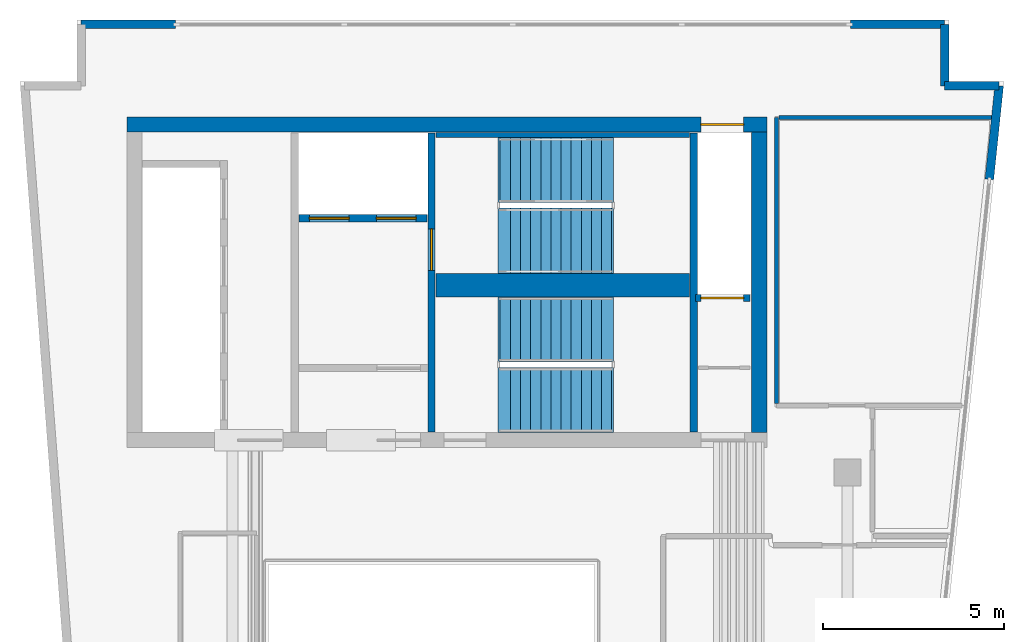
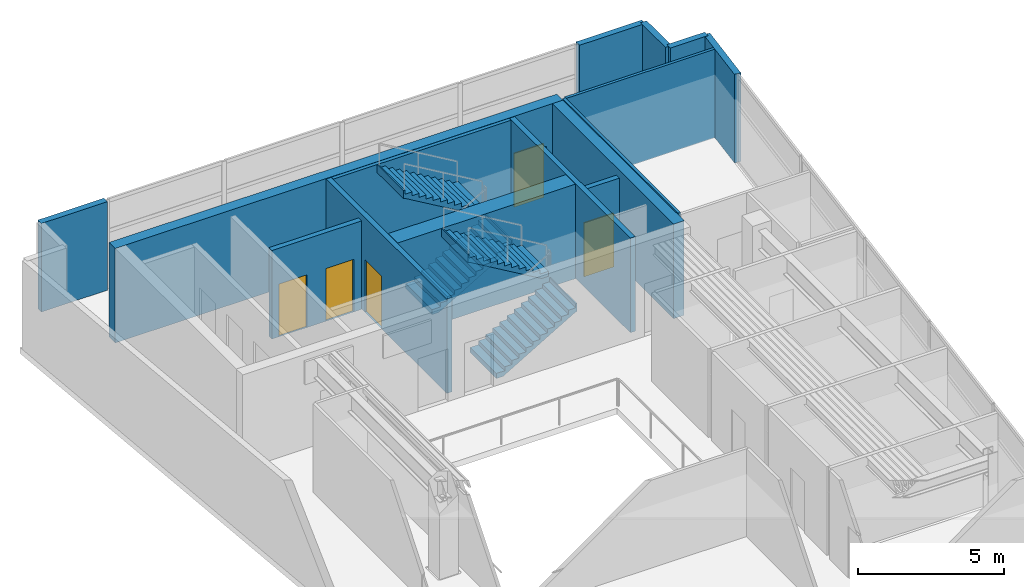
# One storey, part 4 of 6: 15 walls, 5 doors, 4 stair flights, 5 openings, 2 elements without a shape of their own.
"""IFC4 building model written with IfcOpenShell, lengths in metres."""

from ifc_helpers import new_model, si_unit, direction, frame, frame_2d, origin, place, context, subcontext, project, spatial, polyline, rectangle, outline, extrude, material, layer, layer_set, type_object, element, fill, aggregate, save


model = new_model("IFC4")

# Units and contexts
model_context = context("Model", 3, precision=1e-05, world=origin(), true_north=direction((0.0, 1.0)))
body_context = subcontext(model_context, "Body", "Model", "MODEL_VIEW")
ifc_project = project(units=[si_unit("LENGTHUNIT", "METRE"), si_unit("AREAUNIT", "SQUARE_METRE"), si_unit("VOLUMEUNIT", "CUBIC_METRE"), si_unit("PLANEANGLEUNIT", "RADIAN"), si_unit("MASSUNIT", "GRAM", prefix="KILO")], contexts=[model_context])

# Site, building, storey
site_placement = place(None, origin())
site = spatial("IfcSite", under=ifc_project, at=site_placement, CompositionType="ELEMENT")
building_placement = place(site_placement, origin())
building = spatial("IfcBuilding", under=site, at=building_placement, Name="Caeloran Harvest Quay", CompositionType="ELEMENT")
storey_placement = place(building_placement, frame((0.0, 0.0, 284.35009765625)))
storey = spatial("IfcBuildingStorey", under=building, at=storey_placement, Name="L68", CompositionType="ELEMENT", Elevation=284.35009765625)

# Walls
ifc_material_1 = material(Name="Precast concrete C50/60", Category="concrete")
ifc_layer_1 = layer(ifc_material_1, 0.239990234375, Name="Precast concrete C50/60")
ifc_layer_set_1 = layer_set([ifc_layer_1], Name="Precast concrete C50/60")
wall_type_1 = type_object("IfcWallType", Name="ENV-WALL-EW-240", PredefinedType="STANDARD", material=ifc_layer_set_1)
for number, where, z_axis, x_axis, name in (
    (1, (4.320068359375, 43.3798828125, 0.0), (0.0, 0.0, 1.0), (1.0, 0.0, 0.0), "L68 Exterior Facade Corner Pier Wall 6A"),
    (2, (25.580078125, 43.3798828125, 0.0), (0.0, 0.0, 1.0), (1.0, 0.0, 0.0), "L68 Exterior Facade Corner Pier Wall 6B"),
):
    element("IfcWall", number, at=place(storey_placement, frame(where, z_axis=z_axis, x_axis=x_axis)), inside=storey, type_object=wall_type_1, Name=name, PredefinedType="STANDARD", context=body_context, shape_type="SweptSolid", body=[
        extrude(rectangle(XDim=2.599853515625, YDim=0.239990234375, at=frame_2d((1.2998046875, 0.0))), origin(), (0.0, 0.0, 1.0), 3.699951171875),
    ])
wall_1_placement = place(storey_placement, frame((28.179931640625, 43.3798828125, 0.0), z_axis=(0.0, 0.0, 1.0), x_axis=(0.0, -1.0, 0.0)))
element("IfcWall", 3, at=wall_1_placement, inside=storey, type_object=wall_type_1, Name="L68 Exterior Precast Concrete Facade Wall 7", PredefinedType="STANDARD", context=body_context, shape_type="SweptSolid", body=[
    extrude(rectangle(XDim=1.699951171875, YDim=0.239990234375, at=frame_2d((0.85009765625, 0.0))), origin(), (0.0, 0.0, 1.0), 3.699951171875),
])
wall_2_placement = place(storey_placement, frame((28.179931640625, 41.679931640625, 0.0), z_axis=(0.0, 0.0, 1.0), x_axis=(1.0, 0.0, 0.0)))
element("IfcWall", 4, at=wall_2_placement, inside=storey, type_object=wall_type_1, Name="L68 Exterior Precast Concrete Facade Wall 8", PredefinedType="STANDARD", context=body_context, shape_type="SweptSolid", body=[
    extrude(rectangle(XDim=1.508056640625, YDim=0.239990234375, at=frame_2d((0.75390625, 0.0))), origin(), (0.0, 0.0, 1.0), 3.699951171875),
])
wall_3_placement = place(storey_placement, frame((29.68798828125, 41.679931640625, 0.0), z_axis=(0.0, 0.0, 1.0), x_axis=(-0.104420821624, -0.994533203071, 0.0)))
element("IfcWall", 5, at=wall_3_placement, inside=storey, type_object=wall_type_1, Name="L68 Exterior Facade Corner Pier Wall 9A", PredefinedType="STANDARD", context=body_context, shape_type="SweptSolid", body=[
    extrude(rectangle(XDim=2.599853515625, YDim=0.239990234375, at=frame_2d((1.2998046875, 0.0))), origin(), (0.0, 0.0, 1.0), 3.699951171875),
])
ifc_material_2 = material(Name="Single-Stud Acoustic Gypsum Office Partition", Category="gypsum")
ifc_layer_2 = layer(ifc_material_2, 0.112060546875, Name="Single-Stud Acoustic Gypsum Office Partition")
ifc_layer_set_2 = layer_set([ifc_layer_2], Name="Single-Stud Acoustic Gypsum Office Partition")
wall_type_2 = type_object("IfcWallType", Name="INT-WALL-PW-112", PredefinedType="PARTITIONING", material=ifc_layer_set_2)
wall_4_placement = place(storey_placement, frame((23.5400390625, 32.90087890625, 0.0), z_axis=(0.0, 0.0, 1.0), x_axis=(0.0, 1.0, 0.0)))
element("IfcWall", 6, at=wall_4_placement, inside=storey, type_object=wall_type_2, Name="L68 Bioinformatics and Crop Phenotyping Laboratory Partition Wall", PredefinedType="PARTITIONING", context=body_context, shape_type="SweptSolid", body=[
    extrude(rectangle(XDim=7.899169921875, YDim=0.112060546875, at=frame_2d((3.94970703125, 0.0))), origin(), (0.0, 0.0, 1.0), 3.699951171875),
])
wall_5_placement = place(storey_placement, frame((23.60107421875, 40.800048828125, 0.0), z_axis=(0.0, 0.0, 1.0), x_axis=(1.0, 0.0, 0.0)))
element("IfcWall", 7, at=wall_5_placement, inside=storey, type_object=wall_type_2, Name="L68 Bioinformatics and Crop Phenotyping Laboratory Partition Wall", PredefinedType="PARTITIONING", context=body_context, shape_type="SweptSolid", body=[
    extrude(rectangle(XDim=5.868896484375, YDim=0.112060546875, at=frame_2d((2.9345703125, 0.0))), origin(), (0.0, 0.0, 1.0), 3.699951171875),
])

# Wall, openings, doors
ifc_material_3 = material(Name="Concrete C50/60", Category="concrete")
ifc_layer_3 = layer(ifc_material_3, 0.199951171875, Name="Concrete C50/60")
ifc_layer_set_3 = layer_set([ifc_layer_3], Name="Concrete C50/60")
wall_type_3 = type_object("IfcWallType", Name="INT-WALL-SW-200", PredefinedType="PARTITIONING", material=ifc_layer_set_3)
wall_6_placement = place(storey_placement, frame((10.340087890625, 38.02001953125, 0.0), z_axis=(0.0, 0.0, 1.0), x_axis=(1.0, 0.0, 0.0)))
wall_6 = element("IfcWall", 8, at=wall_6_placement, inside=storey, type_object=wall_type_3, Name="L68 Firefighting Lift Shaft Wall", PredefinedType="PARTITIONING", context=body_context, shape_type="SweptSolid", body=[
    extrude(rectangle(XDim=3.539794921875, YDim=0.199951171875, at=frame_2d((1.77001953125, 0.0))), origin(), (0.0, 0.0, 1.0), 3.699951171875),
])
opening_1_placement = place(wall_6_placement, frame((0.284912109375, 0.0, 0.0)))
opening_1 = element("IfcOpeningElement", 9, at=opening_1_placement, cuts=wall_6, Name="Opening LD-01", PredefinedType="OPENING", context=body_context, shape_type="SweptSolid", body=[
    extrude(rectangle(XDim=1.10009765625, YDim=2.199951171875, at=frame_2d((0.550048828125, 1.10009765625))), frame((0.0, 0.10986328125, 0.0), z_axis=(0.0, -1.0, 0.0), x_axis=(1.0, 0.0, 0.0)), (0.0, 0.0, 1.0), 0.219970703125),
])
opening_2_placement = place(wall_6_placement, frame((2.135009765625, 0.0, 0.0)))
opening_2 = element("IfcOpeningElement", 10, at=opening_2_placement, cuts=wall_6, Name="Opening LD-01", PredefinedType="OPENING", context=body_context, shape_type="SweptSolid", body=[
    extrude(rectangle(XDim=1.10009765625, YDim=2.199951171875, at=frame_2d((0.550048828125, 1.10009765625))), frame((0.0, 0.10986328125, 0.0), z_axis=(0.0, -1.0, 0.0), x_axis=(1.0, 0.0, 0.0)), (0.0, 0.0, 1.0), 0.219970703125),
])
ifc_material_4 = material(Name="Stainless Steel Grade 316", Category="steel")
door_type_1 = type_object("IfcDoorType", Name="INTDOOR-LD-01", OperationType="NOTDEFINED", PredefinedType="DOOR", material=ifc_material_4)
door_1_placement = place(opening_1_placement, origin())
door_1 = element("IfcDoor", 11, at=door_1_placement, inside=storey, type_object=door_type_1, Name="Lift FF-1 Sliding Landing Door (L68)", OperationType="DOUBLE_DOOR_SLIDING", OverallHeight=2.199951171875, OverallWidth=1.10009765625, PredefinedType="DOOR", context=body_context, shape_type="SweptSolid", body=[
    extrude(rectangle(XDim=1.10009765625, YDim=2.199951171875, at=frame_2d((0.550048828125, 1.10009765625))), frame((0.0, 0.02490234375, 0.0), z_axis=(0.0, -1.0, 0.0), x_axis=(1.0, 0.0, 0.0)), (0.0, 0.0, 1.0), 0.050048828125),
])
fill(opening_1, door_1)
door_2_placement = place(opening_2_placement, origin())
door_2 = element("IfcDoor", 12, at=door_2_placement, inside=storey, type_object=door_type_1, Name="Lift FF-2 Sliding Landing Door (L68)", OperationType="DOUBLE_DOOR_SLIDING", OverallHeight=2.199951171875, OverallWidth=1.10009765625, PredefinedType="DOOR", context=body_context, shape_type="SweptSolid", body=[
    extrude(rectangle(XDim=1.10009765625, YDim=2.199951171875, at=frame_2d((0.550048828125, 1.10009765625))), frame((0.0, 0.02490234375, 0.0), z_axis=(0.0, -1.0, 0.0), x_axis=(1.0, 0.0, 0.0)), (0.0, 0.0, 1.0), 0.050048828125),
])
fill(opening_2, door_2)

# Wall, opening, door
wall_7_placement = place(storey_placement, frame((21.300048828125, 35.820068359375, 0.0), z_axis=(0.0, 0.0, 1.0), x_axis=(1.0, 0.0, 0.0)))
wall_7 = element("IfcWall", 13, at=wall_7_placement, inside=storey, type_object=wall_type_3, Name="L68 Service Lift SV-2 Shaft Wall", PredefinedType="PARTITIONING", context=body_context, shape_type="SweptSolid", body=[
    extrude(rectangle(XDim=1.5, YDim=0.199951171875, at=frame_2d((0.75, 0.0))), origin(), (0.0, 0.0, 1.0), 3.699951171875),
])
opening_3_placement = place(wall_7_placement, frame((0.14501953125, 0.0, 0.0)))
opening_3 = element("IfcOpeningElement", 14, at=opening_3_placement, cuts=wall_7, Name="Opening LD-02", PredefinedType="OPENING", context=body_context, shape_type="SweptSolid", body=[
    extrude(rectangle(XDim=1.179931640625, YDim=2.25, at=frame_2d((0.58984375, 1.125))), frame((0.0, 0.10986328125, 0.0), z_axis=(0.0, -1.0, 0.0), x_axis=(1.0, 0.0, 0.0)), (0.0, 0.0, 1.0), 0.219970703125),
])
door_type_2 = type_object("IfcDoorType", Name="INTDOOR-LD-02", OperationType="NOTDEFINED", PredefinedType="DOOR", material=ifc_material_4)
door_3_placement = place(opening_3_placement, origin())
door_3 = element("IfcDoor", 15, at=door_3_placement, inside=storey, type_object=door_type_2, Name="Lift SV-2 Sliding Landing Door (L68)", OperationType="DOUBLE_DOOR_SLIDING", OverallHeight=2.25, OverallWidth=1.179931640625, PredefinedType="DOOR", context=body_context, shape_type="SweptSolid", body=[
    extrude(rectangle(XDim=1.179931640625, YDim=2.25, at=frame_2d((0.58984375, 1.125))), frame((0.0, 0.02490234375, 0.0), z_axis=(0.0, -1.0, 0.0), x_axis=(1.0, 0.0, 0.0)), (0.0, 0.0, 1.0), 0.050048828125),
])
fill(opening_3, door_3)

ifc_material_5 = material(Name="Concrete C60/75", Category="concrete")
ifc_layer_4 = layer(ifc_material_5, 0.419921875, Name="Concrete C60/75")
ifc_layer_set_4 = layer_set([ifc_layer_4], Name="Concrete C60/75")
wall_type_4 = type_object("IfcWallType", Name="STR-WALL-CW-420", PredefinedType="SHEAR", material=ifc_layer_set_4)
wall_8_placement = place(storey_placement, frame((5.580078125, 40.610107421875, 0.0), z_axis=(0.0, 0.0, 1.0), x_axis=(1.0, 0.0, 0.0)))
wall_8 = element("IfcWall", 16, at=wall_8_placement, inside=storey, type_object=wall_type_4, Name="L68 Rear Core Shear Wall N", PredefinedType="SHEAR", context=body_context, shape_type="SweptSolid", body=[
    extrude(rectangle(XDim=17.68994140625, YDim=0.419921875, at=frame_2d((8.844970703125, 0.0))), origin(), (0.0, 0.0, 1.0), 3.949951171875),
])
opening_4_placement = place(wall_8_placement, frame((15.864990234375, 0.0, 0.0)))
opening_4 = element("IfcOpeningElement", 17, at=opening_4_placement, cuts=wall_8, Name="Opening LD-02", PredefinedType="OPENING", context=body_context, shape_type="SweptSolid", body=[
    extrude(rectangle(XDim=1.179931640625, YDim=2.25, at=frame_2d((0.58984375, 1.125))), frame((0.0, 0.219970703125, 0.0), z_axis=(0.0, -1.0, 0.0), x_axis=(1.0, 0.0, 0.0)), (0.0, 0.0, 1.0), 0.43994140625),
])
door_4_placement = place(opening_4_placement, origin())
door_4 = element("IfcDoor", 18, at=door_4_placement, inside=storey, type_object=door_type_2, Name="Lift SV-1 Sliding Landing Door (L68)", OperationType="DOUBLE_DOOR_SLIDING", OverallHeight=2.25, OverallWidth=1.179931640625, PredefinedType="DOOR", context=body_context, shape_type="SweptSolid", body=[
    extrude(rectangle(XDim=1.179931640625, YDim=2.25, at=frame_2d((0.58984375, 1.125))), frame((0.0, 0.02490234375, 0.0), z_axis=(0.0, -1.0, 0.0), x_axis=(1.0, 0.0, 0.0)), (0.0, 0.0, 1.0), 0.050048828125),
])
fill(opening_4, door_4)

# Walls
wall_9_placement = place(storey_placement, frame((23.06005859375, 32.10009765625, 0.0), z_axis=(0.0, 0.0, 1.0), x_axis=(0.0, 1.0, 0.0)))
element("IfcWall", 19, at=wall_9_placement, inside=storey, type_object=wall_type_4, Name="L68 Rear Core Shear Wall E", PredefinedType="SHEAR", context=body_context, shape_type="SweptSolid", body=[
    extrude(rectangle(XDim=8.2998046875, YDim=0.419921875, at=frame_2d((4.14990234375, 0.0))), origin(), (0.0, 0.0, 1.0), 3.949951171875),
])
ifc_layer_5 = layer(ifc_material_5, 0.64990234375, Name="Concrete C60/75")
ifc_layer_set_5 = layer_set([ifc_layer_5], Name="Concrete C60/75")
wall_type_5 = type_object("IfcWallType", Name="STR-WALL-CW-650", PredefinedType="SHEAR", material=ifc_layer_set_5)
wall_10_placement = place(storey_placement, frame((14.1201171875, 36.175048828125, 0.0), z_axis=(0.0, 0.0, 1.0), x_axis=(1.0, 0.0, 0.0)))
element("IfcWall", 20, at=wall_10_placement, inside=storey, type_object=wall_type_5, Name="L68 Core Stairs Dividing Shear Wall", PredefinedType="SHEAR", context=body_context, shape_type="SweptSolid", body=[
    extrude(rectangle(XDim=7.009765625, YDim=0.64990234375, at=frame_2d((3.5048828125, 0.0))), origin(), (0.0, 0.0, 1.0), 3.949951171875),
])
ifc_layer_6 = layer(ifc_material_5, 0.139892578125, Name="Concrete C60/75")
ifc_layer_set_6 = layer_set([ifc_layer_6], Name="Concrete C60/75")
wall_type_6 = type_object("IfcWallType", Name="STR-WALL-SW-140", PredefinedType="SHEAR", material=ifc_layer_set_6)
wall_11_placement = place(storey_placement, frame((14.1201171875, 40.320068359375, 0.0), z_axis=(0.0, 0.0, 1.0), x_axis=(1.0, 0.0, 0.0)))
element("IfcWall", 21, at=wall_11_placement, inside=storey, type_object=wall_type_6, Name="L68 Core Stair ST-C1 North Bearing Shear Wall", PredefinedType="SHEAR", context=body_context, shape_type="SweptSolid", body=[
    extrude(rectangle(XDim=7.009765625, YDim=0.139892578125, at=frame_2d((3.5048828125, 0.0))), origin(), (0.0, 0.0, 1.0), 3.949951171875),
])

# Wall, opening, door
ifc_layer_7 = layer(ifc_material_5, 0.199951171875, Name="Concrete C60/75")
ifc_layer_set_7 = layer_set([ifc_layer_7], Name="Concrete C60/75")
wall_type_7 = type_object("IfcWallType", Name="STR-WALL-SW-200", PredefinedType="SHEAR", material=ifc_layer_set_7)
wall_12_placement = place(storey_placement, frame((14.0, 32.1201171875, 0.0), z_axis=(0.0, 0.0, 1.0), x_axis=(0.0, 1.0, 0.0)))
wall_12 = element("IfcWall", 22, at=wall_12_placement, inside=storey, type_object=wall_type_7, Name="L68 Core Stair Shaft West Shear Wall", PredefinedType="SHEAR", context=body_context, shape_type="SweptSolid", body=[
    extrude(rectangle(XDim=8.259765625, YDim=0.199951171875, at=frame_2d((4.1298828125, 0.0))), origin(), (0.0, 0.0, 1.0), 3.949951171875),
])
opening_5_placement = place(wall_12_placement, frame((4.4599609375, 0.0, 0.0)))
opening_5 = element("IfcOpeningElement", 23, at=opening_5_placement, cuts=wall_12, Name="Opening SD-01", PredefinedType="OPENING", context=body_context, shape_type="SweptSolid", body=[
    extrude(rectangle(XDim=1.14990234375, YDim=2.199951171875, at=frame_2d((0.574951171875, 1.10009765625))), frame((0.0, 0.10986328125, 0.0), z_axis=(0.0, -1.0, 0.0), x_axis=(1.0, 0.0, 0.0)), (0.0, 0.0, 1.0), 0.219970703125),
])
ifc_material_6 = material(Name="Steel", Category="steel")
door_type_3 = type_object("IfcDoorType", Name="INTDOOR-SD-01", OperationType="NOTDEFINED", PredefinedType="DOOR", material=ifc_material_6)
door_5_placement = place(opening_5_placement, origin())
door_5 = element("IfcDoor", 24, at=door_5_placement, inside=storey, type_object=door_type_3, Name="L68 Protected Stair ST-C1 Exit Door", OperationType="SINGLE_SWING_LEFT", OverallHeight=2.199951171875, OverallWidth=1.14990234375, PredefinedType="DOOR", context=body_context, shape_type="SweptSolid", body=[
    extrude(rectangle(XDim=1.14990234375, YDim=2.199951171875, at=frame_2d((0.574951171875, 1.10009765625))), frame((0.0, 0.02490234375, 0.0), z_axis=(0.0, -1.0, 0.0), x_axis=(1.0, 0.0, 0.0)), (0.0, 0.0, 1.0), 0.050048828125),
])
fill(opening_5, door_5)

# Wall
wall_13_placement = place(storey_placement, frame((21.25, 32.1201171875, 0.0), z_axis=(0.0, 0.0, 1.0), x_axis=(0.0, 1.0, 0.0)))
element("IfcWall", 25, at=wall_13_placement, inside=storey, type_object=wall_type_7, Name="L68 Core Stair Shaft East Shear Wall", PredefinedType="SHEAR", context=body_context, shape_type="SweptSolid", body=[
    extrude(rectangle(XDim=8.259765625, YDim=0.199951171875, at=frame_2d((4.1298828125, 0.0))), origin(), (0.0, 0.0, 1.0), 3.949951171875),
])

# Stair, stair flights
stair_type = type_object("IfcStairType", Name="STAIR-STC-180", PredefinedType="HALF_TURN_STAIR", material=ifc_material_3)
stair_1_placement = place(storey_placement, origin())
stair_1 = element("IfcStair", 26, at=stair_1_placement, inside=storey, type_object=stair_type, Name="L68 Core Pressurized Exit Stair ST-C1", PredefinedType="HALF_TURN_STAIR")
stair_flight_type = type_object("IfcStairFlightType", Name="FLIGHT-STC-180", PredefinedType="STRAIGHT", material=ifc_material_3)
stair_flight_1_placement = place(storey_placement, frame((15.89990234375, 37.39990234375, 0.0), z_axis=(0.0, 0.0, 1.0), x_axis=(1.0, 0.0, 0.0)))
stair_flight_1 = element("IfcStairFlight", 27, at=stair_flight_1_placement, type_object=stair_flight_type, Name="ST-C1 flight 1", NumberOfRisers=12, NumberOfTreads=11, PredefinedType="STRAIGHT", RiserHeight=0.164583333, TreadLength=0.28, context=body_context, shape_type="SweptSolid", body=[
    extrude(outline(polyline([(-0.054931640625, -0.044921875), (-0.054931640625, -0.031982421875), (-0.054931640625, -0.018798828125), (-0.054931640625, -0.005615234375), (-0.054931640625, 0.00732421875), (-0.054931640625, 0.0205078125), (-0.054931640625, 0.03369140625), (-0.054931640625, 0.046630859375), (-0.054931640625, 0.059814453125), (-0.054931640625, 0.072998046875), (-0.054931640625, 0.0859375), (-0.054931640625, 0.09912109375), (-0.054931640625, 0.1123046875), (-0.054931640625, 0.125244140625), (-0.054931640625, 0.138427734375), (-0.054931640625, 0.1513671875), (-0.054931640625, 0.16455078125), (0.280029296875, 0.16455078125), (0.280029296875, 0.3291015625), (0.56005859375, 0.3291015625), (0.56005859375, 0.49365234375), (0.840087890625, 0.49365234375), (0.840087890625, 0.658447265625), (1.1201171875, 0.658447265625), (1.1201171875, 0.822998046875), (1.39990234375, 0.822998046875), (1.39990234375, 0.987548828125), (1.679931640625, 0.987548828125), (1.679931640625, 1.152099609375), (1.9599609375, 1.152099609375), (1.9599609375, 1.316650390625), (2.239990234375, 1.316650390625), (2.239990234375, 1.481201171875), (2.52001953125, 1.481201171875), (2.52001953125, 1.645751953125), (2.800048828125, 1.645751953125), (2.800048828125, 1.810302734375), (3.080078125, 1.810302734375), (3.080078125, 1.97509765625), (3.135009765625, 1.97509765625), (3.135009765625, 1.953857421875), (3.135009765625, 1.9326171875), (3.135009765625, 1.91162109375), (3.135009765625, 1.890380859375), (3.135009765625, 1.869140625), (3.135009765625, 1.84814453125), (3.135009765625, 1.826904296875), (3.135009765625, 1.8056640625), (3.135009765625, 1.78466796875), (3.135009765625, 1.763427734375), (3.135009765625, 1.7421875), (3.135009765625, 1.72119140625), (3.135009765625, 1.699951171875), (3.135009765625, 1.678955078125), (3.135009765625, 1.65771484375), (3.135009765625, 1.636474609375), (3.080078125, 1.636474609375), (0.21923828125, -0.044921875), (-0.054931640625, -0.044921875)])), frame((0.0, 0.89990234375, 0.0), z_axis=(0.0, -1.0, 0.0), x_axis=(1.0, 0.0, 0.0)), (0.0, 0.0, 1.0), 1.800048828125),
])
stair_flight_2_placement = place(storey_placement, frame((18.97998046875, 39.35009765625, 1.974853515625), z_axis=(0.0, 0.0, 1.0), x_axis=(-1.0, 0.0, 0.0)))
stair_flight_2 = element("IfcStairFlight", 28, at=stair_flight_2_placement, type_object=stair_flight_type, Name="ST-C1 flight 2", NumberOfRisers=12, NumberOfTreads=11, PredefinedType="STRAIGHT", RiserHeight=0.164583333, TreadLength=0.28, context=body_context, shape_type="SweptSolid", body=[
    extrude(outline(polyline([(-0.054931640625, -0.044921875), (-0.054931640625, -0.031982421875), (-0.054931640625, -0.018798828125), (-0.054931640625, -0.005615234375), (-0.054931640625, 0.00732421875), (-0.054931640625, 0.0205078125), (-0.054931640625, 0.03369140625), (-0.054931640625, 0.046630859375), (-0.054931640625, 0.059814453125), (-0.054931640625, 0.072998046875), (-0.054931640625, 0.0859375), (-0.054931640625, 0.09912109375), (-0.054931640625, 0.1123046875), (-0.054931640625, 0.125244140625), (-0.054931640625, 0.138427734375), (-0.054931640625, 0.1513671875), (-0.054931640625, 0.16455078125), (0.280029296875, 0.16455078125), (0.280029296875, 0.3291015625), (0.56005859375, 0.3291015625), (0.56005859375, 0.49365234375), (0.840087890625, 0.49365234375), (0.840087890625, 0.658447265625), (1.1201171875, 0.658447265625), (1.1201171875, 0.822998046875), (1.39990234375, 0.822998046875), (1.39990234375, 0.987548828125), (1.679931640625, 0.987548828125), (1.679931640625, 1.152099609375), (1.9599609375, 1.152099609375), (1.9599609375, 1.316650390625), (2.239990234375, 1.316650390625), (2.239990234375, 1.481201171875), (2.52001953125, 1.481201171875), (2.52001953125, 1.645751953125), (2.800048828125, 1.645751953125), (2.800048828125, 1.810302734375), (3.080078125, 1.810302734375), (3.080078125, 1.97509765625), (3.135009765625, 1.97509765625), (3.135009765625, 1.953857421875), (3.135009765625, 1.9326171875), (3.135009765625, 1.91162109375), (3.135009765625, 1.890380859375), (3.135009765625, 1.869140625), (3.135009765625, 1.84814453125), (3.135009765625, 1.826904296875), (3.135009765625, 1.8056640625), (3.135009765625, 1.78466796875), (3.135009765625, 1.763427734375), (3.135009765625, 1.7421875), (3.135009765625, 1.72119140625), (3.135009765625, 1.699951171875), (3.135009765625, 1.678955078125), (3.135009765625, 1.65771484375), (3.135009765625, 1.636474609375), (3.080078125, 1.636474609375), (0.21923828125, -0.044921875), (-0.054931640625, -0.044921875)])), frame((0.0, 0.89990234375, 0.0), z_axis=(0.0, -1.0, 0.0), x_axis=(1.0, 0.0, 0.0)), (0.0, 0.0, 1.0), 1.800048828125),
])
aggregate(stair_1, [stair_flight_1, stair_flight_2])

stair_2_placement = place(storey_placement, origin())
stair_2 = element("IfcStair", 29, at=stair_2_placement, inside=storey, type_object=stair_type, Name="L68 Core Pressurized Exit Stair ST-C2", PredefinedType="HALF_TURN_STAIR")
stair_flight_3_placement = place(storey_placement, frame((15.89990234375, 33.0, 0.0), z_axis=(0.0, 0.0, 1.0), x_axis=(1.0, 0.0, 0.0)))
stair_flight_3 = element("IfcStairFlight", 30, at=stair_flight_3_placement, type_object=stair_flight_type, Name="ST-C2 flight 1", NumberOfRisers=12, NumberOfTreads=11, PredefinedType="STRAIGHT", RiserHeight=0.164583333, TreadLength=0.28, context=body_context, shape_type="SweptSolid", body=[
    extrude(outline(polyline([(-0.054931640625, -0.044921875), (-0.054931640625, -0.031982421875), (-0.054931640625, -0.018798828125), (-0.054931640625, -0.005615234375), (-0.054931640625, 0.00732421875), (-0.054931640625, 0.0205078125), (-0.054931640625, 0.03369140625), (-0.054931640625, 0.046630859375), (-0.054931640625, 0.059814453125), (-0.054931640625, 0.072998046875), (-0.054931640625, 0.0859375), (-0.054931640625, 0.09912109375), (-0.054931640625, 0.1123046875), (-0.054931640625, 0.125244140625), (-0.054931640625, 0.138427734375), (-0.054931640625, 0.1513671875), (-0.054931640625, 0.16455078125), (0.280029296875, 0.16455078125), (0.280029296875, 0.3291015625), (0.56005859375, 0.3291015625), (0.56005859375, 0.49365234375), (0.840087890625, 0.49365234375), (0.840087890625, 0.658447265625), (1.1201171875, 0.658447265625), (1.1201171875, 0.822998046875), (1.39990234375, 0.822998046875), (1.39990234375, 0.987548828125), (1.679931640625, 0.987548828125), (1.679931640625, 1.152099609375), (1.9599609375, 1.152099609375), (1.9599609375, 1.316650390625), (2.239990234375, 1.316650390625), (2.239990234375, 1.481201171875), (2.52001953125, 1.481201171875), (2.52001953125, 1.645751953125), (2.800048828125, 1.645751953125), (2.800048828125, 1.810302734375), (3.080078125, 1.810302734375), (3.080078125, 1.97509765625), (3.135009765625, 1.97509765625), (3.135009765625, 1.953857421875), (3.135009765625, 1.9326171875), (3.135009765625, 1.91162109375), (3.135009765625, 1.890380859375), (3.135009765625, 1.869140625), (3.135009765625, 1.84814453125), (3.135009765625, 1.826904296875), (3.135009765625, 1.8056640625), (3.135009765625, 1.78466796875), (3.135009765625, 1.763427734375), (3.135009765625, 1.7421875), (3.135009765625, 1.72119140625), (3.135009765625, 1.699951171875), (3.135009765625, 1.678955078125), (3.135009765625, 1.65771484375), (3.135009765625, 1.636474609375), (3.080078125, 1.636474609375), (0.21923828125, -0.044921875), (-0.054931640625, -0.044921875)])), frame((0.0, 0.89990234375, 0.0), z_axis=(0.0, -1.0, 0.0), x_axis=(1.0, 0.0, 0.0)), (0.0, 0.0, 1.0), 1.800048828125),
])
stair_flight_4_placement = place(storey_placement, frame((18.97998046875, 34.949951171875, 1.974853515625), z_axis=(0.0, 0.0, 1.0), x_axis=(-1.0, 0.0, 0.0)))
stair_flight_4 = element("IfcStairFlight", 31, at=stair_flight_4_placement, type_object=stair_flight_type, Name="ST-C2 flight 2", NumberOfRisers=12, NumberOfTreads=11, PredefinedType="STRAIGHT", RiserHeight=0.164583333, TreadLength=0.28, context=body_context, shape_type="SweptSolid", body=[
    extrude(outline(polyline([(-0.054931640625, -0.044921875), (-0.054931640625, -0.031982421875), (-0.054931640625, -0.018798828125), (-0.054931640625, -0.005615234375), (-0.054931640625, 0.00732421875), (-0.054931640625, 0.0205078125), (-0.054931640625, 0.03369140625), (-0.054931640625, 0.046630859375), (-0.054931640625, 0.059814453125), (-0.054931640625, 0.072998046875), (-0.054931640625, 0.0859375), (-0.054931640625, 0.09912109375), (-0.054931640625, 0.1123046875), (-0.054931640625, 0.125244140625), (-0.054931640625, 0.138427734375), (-0.054931640625, 0.1513671875), (-0.054931640625, 0.16455078125), (0.280029296875, 0.16455078125), (0.280029296875, 0.3291015625), (0.56005859375, 0.3291015625), (0.56005859375, 0.49365234375), (0.840087890625, 0.49365234375), (0.840087890625, 0.658447265625), (1.1201171875, 0.658447265625), (1.1201171875, 0.822998046875), (1.39990234375, 0.822998046875), (1.39990234375, 0.987548828125), (1.679931640625, 0.987548828125), (1.679931640625, 1.152099609375), (1.9599609375, 1.152099609375), (1.9599609375, 1.316650390625), (2.239990234375, 1.316650390625), (2.239990234375, 1.481201171875), (2.52001953125, 1.481201171875), (2.52001953125, 1.645751953125), (2.800048828125, 1.645751953125), (2.800048828125, 1.810302734375), (3.080078125, 1.810302734375), (3.080078125, 1.97509765625), (3.135009765625, 1.97509765625), (3.135009765625, 1.953857421875), (3.135009765625, 1.9326171875), (3.135009765625, 1.91162109375), (3.135009765625, 1.890380859375), (3.135009765625, 1.869140625), (3.135009765625, 1.84814453125), (3.135009765625, 1.826904296875), (3.135009765625, 1.8056640625), (3.135009765625, 1.78466796875), (3.135009765625, 1.763427734375), (3.135009765625, 1.7421875), (3.135009765625, 1.72119140625), (3.135009765625, 1.699951171875), (3.135009765625, 1.678955078125), (3.135009765625, 1.65771484375), (3.135009765625, 1.636474609375), (3.080078125, 1.636474609375), (0.21923828125, -0.044921875), (-0.054931640625, -0.044921875)])), frame((0.0, 0.89990234375, 0.0), z_axis=(0.0, -1.0, 0.0), x_axis=(1.0, 0.0, 0.0)), (0.0, 0.0, 1.0), 1.800048828125),
])
aggregate(stair_2, [stair_flight_3, stair_flight_4])

save(model, "model.ifc")
